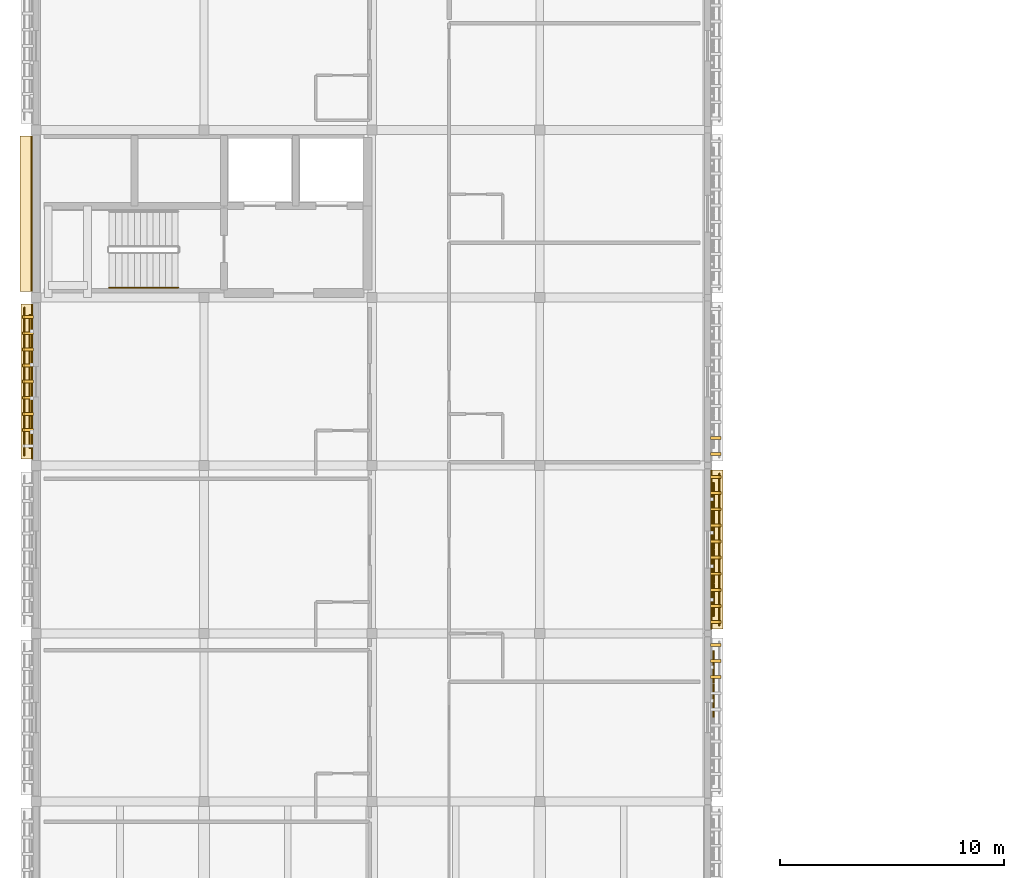
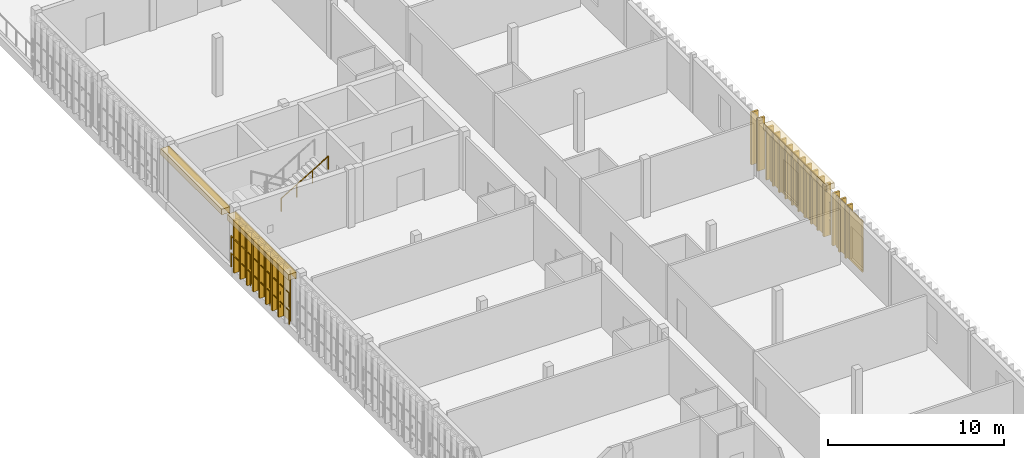
# One storey, part 11 of 13: 29 coverings, 10 shading devices, 5 railings.
"""IFC4 building model written with IfcOpenShell, lengths in metres."""

from ifc_helpers import new_model, si_unit, direction, frame, origin, origin_2d, place, context, subcontext, project, spatial, rectangle, circle, extrude, material, layer, layer_set, type_object, element, save


model = new_model("IFC4")

# Units and contexts
model_context = context("Model", 3, precision=1e-05, world=origin(), true_north=direction((0.0, 1.0)))
body_context = subcontext(model_context, "Body", "Model", "MODEL_VIEW")
ifc_project = project(units=[si_unit("LENGTHUNIT", "METRE"), si_unit("AREAUNIT", "SQUARE_METRE"), si_unit("VOLUMEUNIT", "CUBIC_METRE"), si_unit("PLANEANGLEUNIT", "RADIAN"), si_unit("MASSUNIT", "GRAM", prefix="KILO")], contexts=[model_context])

# Site, building, storey
site_placement = place(None, origin())
site = spatial("IfcSite", under=ifc_project, at=site_placement, CompositionType="ELEMENT")
building_placement = place(site_placement, origin())
building = spatial("IfcBuilding", under=site, at=building_placement, Name="Dalvernix Boulevard General Hospital", CompositionType="ELEMENT")
storey_placement = place(building_placement, frame((0.0, 0.0, 30.0)))
storey = spatial("IfcBuildingStorey", under=building, at=storey_placement, Name="L07", CompositionType="ELEMENT", Elevation=30.0)

# Coverings
ifc_material_1 = material(Name="Polychrome Catalan glazed ceramic spandrel tile panel")
ifc_layer_1 = layer(ifc_material_1, 0.044921875)
ifc_layer_set_1 = layer_set([ifc_layer_1], Name="Polychrome Catalan glazed ceramic spandrel tile panel (COV-CLD-01)")
covering_type_1 = type_object("IfcCoveringType", Name="COV-CLD-01", PredefinedType="CLADDING", material=ifc_layer_set_1)
for number, where, z_axis, x_axis, name in (
    (1, (-0.159912109375, 50.25, 3.35498046875), (0.0, 0.0, 1.0), (0.0, 1.0, 0.0), "L07 polychrome ceramic spandrel W 0-6"),
    (2, (-0.195068359375, 57.75, 3.35498046875), (0.0, 0.0, 1.0), (0.0, 1.0, 0.0), "L07 polychrome ceramic spandrel W 0-7"),
):
    element("IfcCovering", number, at=place(storey_placement, frame(where, z_axis=z_axis, x_axis=x_axis)), inside=storey, type_object=covering_type_1, Name=name, PredefinedType="CLADDING", context=body_context, shape_type="SweptSolid", body=[
        extrude(rectangle(XDim=6.929931640625, YDim=0.044921875, at=origin_2d()), origin(), (0.0, 0.0, 1.0), 0.449951171875),
    ])
covering_1_placement = place(storey_placement, frame((30.159912109375, 42.75, 3.35498046875), z_axis=(0.0, 0.0, 1.0), x_axis=(0.0, -1.0, 0.0)))
element("IfcCovering", 3, at=covering_1_placement, inside=storey, type_object=covering_type_1, Name="L07 polychrome ceramic spandrel E 4-5", PredefinedType="CLADDING", context=body_context, shape_type="SweptSolid", body=[
    extrude(rectangle(XDim=7.10009765625, YDim=0.044921875, at=origin_2d()), origin(), (0.0, 0.0, 1.0), 0.449951171875),
])
ifc_material_2 = material(Name="Dressed ochre limestone classical plinth, stringcourse and corbelled cornice", Category="masonry")
ifc_layer_2 = layer(ifc_material_2, 0.449951171875)
ifc_layer_set_2 = layer_set([ifc_layer_2], Name="Dressed ochre limestone classical plinth, stringcourse and corbelled cornice (COV-CRN-01)")
covering_type_2 = type_object("IfcCoveringType", Name="COV-CRN-01", PredefinedType="CLADDING", material=ifc_layer_set_2)
for number, where, z_axis, x_axis, name in (
    (4, (-0.39990234375, 50.25, 3.429931640625), (0.0, 0.0, 1.0), (0.0, 1.0, 0.0), "L07 classical corbelled cornice frieze W 0-6"),
    (5, (-0.43505859375, 57.75, 3.429931640625), (0.0, 0.0, 1.0), (0.0, 1.0, 0.0), "L07 classical corbelled cornice frieze W 0-7"),
):
    element("IfcCovering", number, at=place(storey_placement, frame(where, z_axis=z_axis, x_axis=x_axis)), inside=storey, type_object=covering_type_2, Name=name, PredefinedType="CLADDING", context=body_context, shape_type="SweptSolid", body=[
        extrude(rectangle(XDim=6.929931640625, YDim=0.56005859375, at=origin_2d()), origin(), (0.0, 0.0, 1.0), 0.39990234375),
    ])
covering_2_placement = place(storey_placement, frame((30.39990234375, 42.75, 3.429931640625), z_axis=(0.0, 0.0, 1.0), x_axis=(0.0, -1.0, 0.0)))
element("IfcCovering", 6, at=covering_2_placement, inside=storey, type_object=covering_type_2, Name="L07 classical corbelled cornice frieze E 4-5", PredefinedType="CLADDING", context=body_context, shape_type="SweptSolid", body=[
    extrude(rectangle(XDim=7.10009765625, YDim=0.56005859375, at=origin_2d()), origin(), (0.0, 0.0, 1.0), 0.39990234375),
])
ifc_material_3 = material(Name="Preservative-treated West African iroko timber lattice screen", Category="wood")
ifc_layer_3 = layer(ifc_material_3, 0.1201171875)
ifc_layer_set_3 = layer_set([ifc_layer_3], Name="Preservative-treated West African iroko timber lattice screen (COV-TSCR-01)")
covering_type_3 = type_object("IfcCoveringType", Name="COV-TSCR-01", PredefinedType="CLADDING", material=ifc_layer_set_3)
for number, where, z_axis, x_axis, name in (
    (7, (-0.360107421875, 48.090087890625, 0.10009765625), (0.0, 0.0, 1.0), (0.0, 1.0, 0.0), "L07 upper-ward timber screen blade W 0-6-2"),
    (8, (-0.360107421875, 48.81005859375, 0.10009765625), (0.0, 0.0, 1.0), (0.0, 1.0, 0.0), "L07 upper-ward timber screen blade W 0-6-3"),
    (9, (-0.360107421875, 49.530029296875, 0.10009765625), (0.0, 0.0, 1.0), (0.0, 1.0, 0.0), "L07 upper-ward timber screen blade W 0-6-4"),
    (10, (-0.360107421875, 50.25, 0.10009765625), (0.0, 0.0, 1.0), (0.0, 1.0, 0.0), "L07 upper-ward timber screen blade W 0-6-5"),
    (11, (-0.360107421875, 50.969970703125, 0.10009765625), (0.0, 0.0, 1.0), (0.0, 1.0, 0.0), "L07 upper-ward timber screen blade W 0-6-6"),
    (12, (-0.360107421875, 51.68994140625, 0.10009765625), (0.0, 0.0, 1.0), (0.0, 1.0, 0.0), "L07 upper-ward timber screen blade W 0-6-7"),
    (13, (-0.360107421875, 52.409912109375, 0.10009765625), (0.0, 0.0, 1.0), (0.0, 1.0, 0.0), "L07 upper-ward timber screen blade W 0-6-8"),
    (14, (-0.360107421875, 53.1298828125, 0.10009765625), (0.0, 0.0, 1.0), (0.0, 1.0, 0.0), "L07 upper-ward timber screen blade W 0-6-9"),
    (15, (30.360107421875, 38.489990234375, 0.10009765625), (0.0, 0.0, 1.0), (0.0, -1.0, 0.0), "L07 upper-ward timber screen blade E 4-4-1"),
    (16, (30.360107421875, 37.77001953125, 0.10009765625), (0.0, 0.0, 1.0), (0.0, -1.0, 0.0), "L07 upper-ward timber screen blade E 4-4-2"),
    (17, (30.360107421875, 37.050048828125, 0.10009765625), (0.0, 0.0, 1.0), (0.0, -1.0, 0.0), "L07 upper-ward timber screen blade E 4-4-3"),
    (18, (30.360107421875, 45.989990234375, 0.10009765625), (0.0, 0.0, 1.0), (0.0, -1.0, 0.0), "L07 upper-ward timber screen blade E 4-5-1"),
    (19, (30.360107421875, 45.27001953125, 0.10009765625), (0.0, 0.0, 1.0), (0.0, -1.0, 0.0), "L07 upper-ward timber screen blade E 4-5-2"),
    (20, (30.360107421875, 44.550048828125, 0.10009765625), (0.0, 0.0, 1.0), (0.0, -1.0, 0.0), "L07 upper-ward timber screen blade E 4-5-3"),
    (21, (30.360107421875, 43.830078125, 0.10009765625), (0.0, 0.0, 1.0), (0.0, -1.0, 0.0), "L07 upper-ward timber screen blade E 4-5-4"),
    (22, (30.360107421875, 43.110107421875, 0.10009765625), (0.0, 0.0, 1.0), (0.0, -1.0, 0.0), "L07 upper-ward timber screen blade E 4-5-5"),
    (23, (30.360107421875, 42.389892578125, 0.10009765625), (0.0, 0.0, 1.0), (0.0, -1.0, 0.0), "L07 upper-ward timber screen blade E 4-5-6"),
    (24, (30.360107421875, 41.669921875, 0.10009765625), (0.0, 0.0, 1.0), (0.0, -1.0, 0.0), "L07 upper-ward timber screen blade E 4-5-7"),
    (25, (30.360107421875, 40.949951171875, 0.10009765625), (0.0, 0.0, 1.0), (0.0, -1.0, 0.0), "L07 upper-ward timber screen blade E 4-5-8"),
    (26, (30.360107421875, 40.22998046875, 0.10009765625), (0.0, 0.0, 1.0), (0.0, -1.0, 0.0), "L07 upper-ward timber screen blade E 4-5-9"),
    (27, (30.360107421875, 39.510009765625, 0.10009765625), (0.0, 0.0, 1.0), (0.0, -1.0, 0.0), "L07 upper-ward timber screen blade E 4-5-10"),
    (28, (30.360107421875, 47.72998046875, 0.10009765625), (0.0, 0.0, 1.0), (0.0, -1.0, 0.0), "L07 upper-ward timber screen blade E 4-6-9"),
    (29, (30.360107421875, 47.010009765625, 0.10009765625), (0.0, 0.0, 1.0), (0.0, -1.0, 0.0), "L07 upper-ward timber screen blade E 4-6-10"),
):
    element("IfcCovering", number, at=place(storey_placement, frame(where, z_axis=z_axis, x_axis=x_axis)), inside=storey, type_object=covering_type_3, Name=name, PredefinedType="CLADDING", context=body_context, shape_type="SweptSolid", body=[
        extrude(rectangle(XDim=0.1298828125, YDim=0.47998046875, at=origin_2d()), origin(), (0.0, 0.0, 1.0), 3.6298828125),
    ])

# Railings
ifc_material_4 = material(Name="Brushed stainless steel wall handrail", Category="steel")
railing_type_1 = type_object("IfcRailingType", Name="RL-HR-INT1", PredefinedType="HANDRAIL", material=ifc_material_4)
railing_placement = place(storey_placement, frame((3.27001953125, 54.449951171875, 2.19384765625)))
element("IfcRailing", 30, at=railing_placement, inside=storey, type_object=railing_type_1, Name="L07 ST-02 stair handrail 2", PredefinedType="HANDRAIL", context=body_context, shape_type="SweptSolid", body=[
    extrude(circle(Radius=0.02392578125, at=origin_2d()), frame((0.0, 0.0, 0.8759765625), z_axis=(0.856490936558, 0.0, 0.516162063304), x_axis=(0.0, 1.0, 0.0)), (0.0, 0.0, 1.0), 3.59619140625),
    extrude(circle(Radius=0.02099609375, at=origin_2d()), origin(), (0.0, 0.0, 1.0), 0.851806640625),
    extrude(circle(Radius=0.02099609375, at=origin_2d()), frame((1.026611328125, 0.0, 0.61865234375)), (0.0, 0.0, 1.0), 0.851806640625),
    extrude(circle(Radius=0.02099609375, at=origin_2d()), frame((2.053466796875, 0.0, 1.237548828125)), (0.0, 0.0, 1.0), 0.851806640625),
    extrude(circle(Radius=0.02099609375, at=origin_2d()), frame((3.080078125, 0.0, 1.856201171875)), (0.0, 0.0, 1.0), 0.851806640625),
])
ifc_material_5 = material(Name="Preservative-treated iroko timber horizontal screen louver rail", Category="wood")
railing_type_2 = type_object("IfcRailingType", Name="RL-TSCR-01", PredefinedType="BALUSTRADE", material=ifc_material_5)
for number, where, name in (
    (31, (-0.52001953125, 46.955078125, 0.25), "L07 upper-ward horizontal timber screen louver W 0-6-1"),
    (32, (-0.52001953125, 46.955078125, 1.449951171875), "L07 upper-ward horizontal timber screen louver W 0-6-2"),
):
    element("IfcRailing", number, at=place(storey_placement, frame(where)), inside=storey, type_object=railing_type_2, Name=name, PredefinedType="BALUSTRADE", context=body_context, shape_type="SweptSolid", body=[
        extrude(circle(Radius=0.02392578125, at=origin_2d()), frame((0.0, 0.0, 0.92578125), z_axis=(0.0, 1.0, 0.0), x_axis=(-1.0, 0.0, 0.0)), (0.0, 0.0, 1.0), 6.58984375),
        extrude(circle(Radius=0.02099609375, at=origin_2d()), origin(), (0.0, 0.0, 1.0), 0.90185546875),
        extrude(circle(Radius=0.02099609375, at=origin_2d()), frame((0.0, 1.098388671875, 0.0)), (0.0, 0.0, 1.0), 0.90185546875),
        extrude(circle(Radius=0.02099609375, at=origin_2d()), frame((0.0, 2.196533203125, 0.0)), (0.0, 0.0, 1.0), 0.90185546875),
        extrude(circle(Radius=0.02099609375, at=origin_2d()), frame((0.0, 3.294921875, 0.0)), (0.0, 0.0, 1.0), 0.90185546875),
        extrude(circle(Radius=0.02099609375, at=origin_2d()), frame((0.0, 4.393310546875, 0.0)), (0.0, 0.0, 1.0), 0.90185546875),
        extrude(circle(Radius=0.02099609375, at=origin_2d()), frame((0.0, 5.491455078125, 0.0)), (0.0, 0.0, 1.0), 0.90185546875),
        extrude(circle(Radius=0.02099609375, at=origin_2d()), frame((0.0, 6.58984375, 0.0)), (0.0, 0.0, 1.0), 0.90185546875),
    ])
for number, where, name in (
    (33, (30.52001953125, 46.1298828125, 0.25), "L07 upper-ward horizontal timber screen louver E 4-5-1"),
    (34, (30.52001953125, 46.1298828125, 1.449951171875), "L07 upper-ward horizontal timber screen louver E 4-5-2"),
):
    element("IfcRailing", number, at=place(storey_placement, frame(where)), inside=storey, type_object=railing_type_2, Name=name, PredefinedType="BALUSTRADE", context=body_context, shape_type="SweptSolid", body=[
        extrude(circle(Radius=0.02392578125, at=origin_2d()), frame((0.0, 0.0, 0.92578125), z_axis=(0.0, -1.0, 0.0), x_axis=(1.0, 0.0, 0.0)), (0.0, 0.0, 1.0), 6.759765625),
        extrude(circle(Radius=0.02099609375, at=origin_2d()), origin(), (0.0, 0.0, 1.0), 0.90185546875),
        extrude(circle(Radius=0.02099609375, at=origin_2d()), frame((0.0, -1.126708984375, 0.0)), (0.0, 0.0, 1.0), 0.90185546875),
        extrude(circle(Radius=0.02099609375, at=origin_2d()), frame((0.0, -2.253173828125, 0.0)), (0.0, 0.0, 1.0), 0.90185546875),
        extrude(circle(Radius=0.02099609375, at=origin_2d()), frame((0.0, -3.3798828125, 0.0)), (0.0, 0.0, 1.0), 0.90185546875),
        extrude(circle(Radius=0.02099609375, at=origin_2d()), frame((0.0, -4.506591796875, 0.0)), (0.0, 0.0, 1.0), 0.90185546875),
        extrude(circle(Radius=0.02099609375, at=origin_2d()), frame((0.0, -5.633056640625, 0.0)), (0.0, 0.0, 1.0), 0.90185546875),
        extrude(circle(Radius=0.02099609375, at=origin_2d()), frame((0.0, -6.759765625, 0.0)), (0.0, 0.0, 1.0), 0.90185546875),
    ])

# Shading devices
ifc_material_6 = material(Name="Perforated iroko timber and glazed ceramic screen (30 percent open)", Category="wood")
shading_device_type = type_object("IfcShadingDeviceType", Name="SHD-SCR-01", PredefinedType="USERDEFINED", material=ifc_material_6)
for number, where, z_axis, x_axis, name in (
    (35, (-0.260009765625, 48.0, 0.14990234375), (0.0, 0.0, 1.0), (0.0, 1.0, 0.0), "L07 perforated timber screen 1"),
    (36, (-0.260009765625, 49.5, 0.14990234375), (0.0, 0.0, 1.0), (0.0, 1.0, 0.0), "L07 perforated timber screen 2"),
    (37, (-0.260009765625, 51.0, 0.14990234375), (0.0, 0.0, 1.0), (0.0, 1.0, 0.0), "L07 perforated timber screen 3"),
    (38, (-0.260009765625, 52.5, 0.14990234375), (0.0, 0.0, 1.0), (0.0, 1.0, 0.0), "L07 perforated timber screen 4"),
    (39, (30.260009765625, 37.5, 0.14990234375), (0.0, 0.0, 1.0), (0.0, -1.0, 0.0), "L07 perforated timber screen 1"),
    (40, (30.260009765625, 36.0, 0.14990234375), (0.0, 0.0, 1.0), (0.0, -1.0, 0.0), "L07 perforated timber screen 2"),
    (41, (30.260009765625, 45.0, 0.14990234375), (0.0, 0.0, 1.0), (0.0, -1.0, 0.0), "L07 perforated timber screen 1"),
    (42, (30.260009765625, 43.5, 0.14990234375), (0.0, 0.0, 1.0), (0.0, -1.0, 0.0), "L07 perforated timber screen 2"),
    (43, (30.260009765625, 42.0, 0.14990234375), (0.0, 0.0, 1.0), (0.0, -1.0, 0.0), "L07 perforated timber screen 3"),
    (44, (30.260009765625, 40.5, 0.14990234375), (0.0, 0.0, 1.0), (0.0, -1.0, 0.0), "L07 perforated timber screen 4"),
):
    element("IfcShadingDevice", number, at=place(storey_placement, frame(where, z_axis=z_axis, x_axis=x_axis)), inside=storey, type_object=shading_device_type, Name=name, ObjectType="SCREEN", PredefinedType="USERDEFINED", context=body_context, shape_type="SweptSolid", body=[
        extrude(rectangle(XDim=1.4599609375, YDim=0.080078125, at=origin_2d()), origin(), (0.0, 0.0, 1.0), 3.530029296875),
    ])

save(model, "model.ifc")
